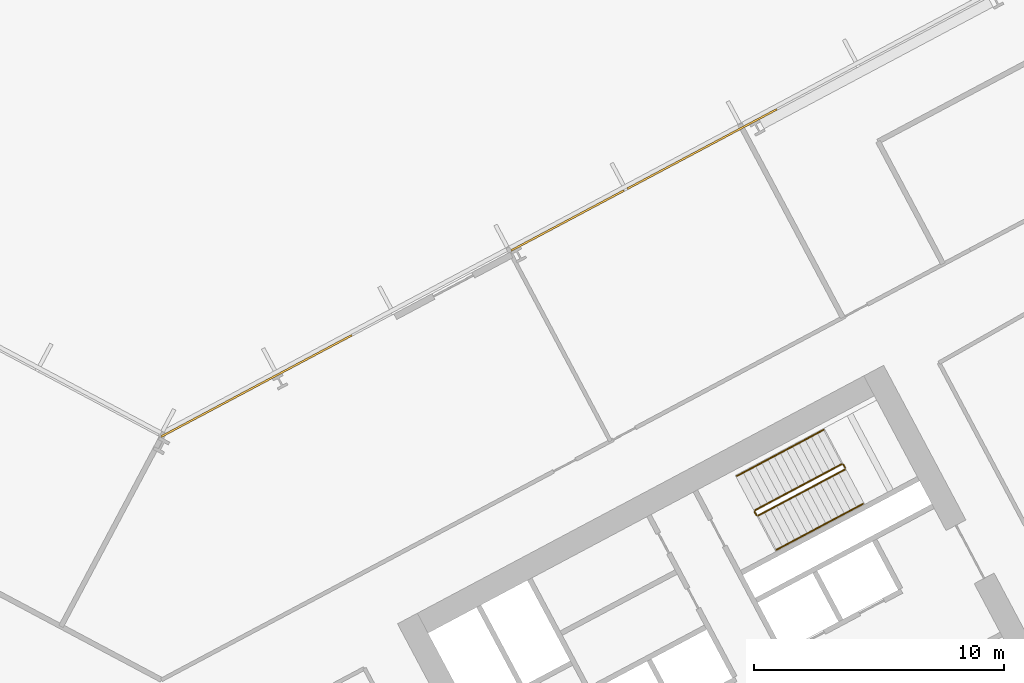
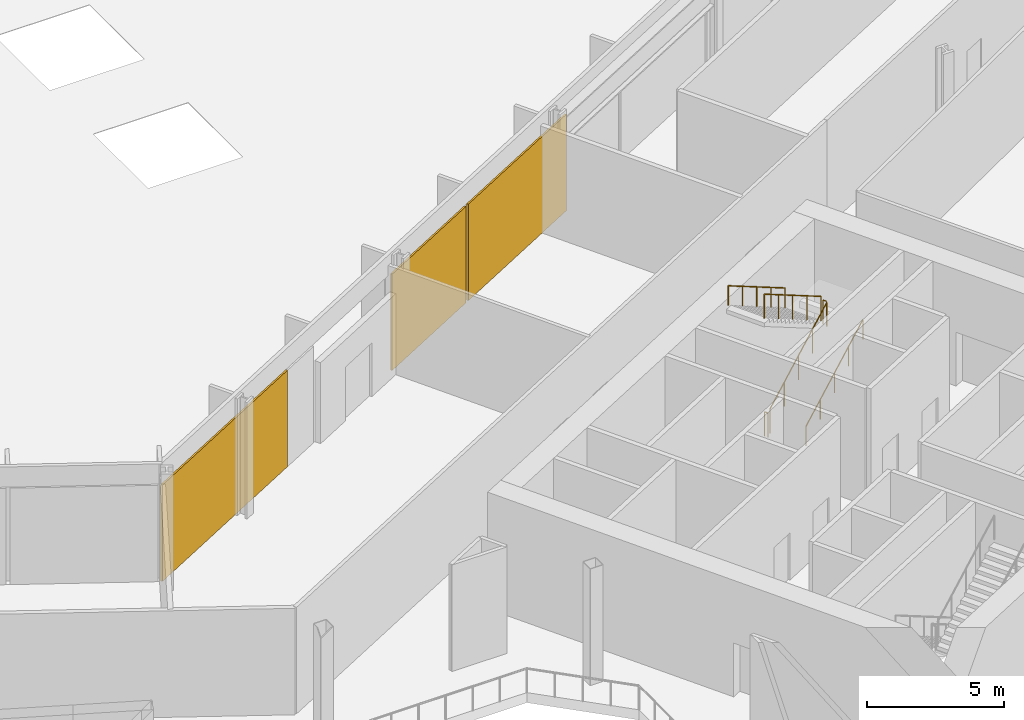
# One storey, part 28 of 30: 6 railings, 3 coverings, 1 element without a shape of its own.
"""IFC4 building model written with IfcOpenShell, lengths in metres."""

import ifcopenshell
import ifcopenshell.guid

model = None  # the IFC model being written
_history = None  # IfcOwnerHistory: only IFC2X3 demands one
_inside = {}  # id of a spatial element -> (the spatial element, [elements in it])
_under = {}  # id of a project, library or spatial element -> (it, [spatial elements below it])
_declared = {}  # id of a project -> (the project, [libraries it declares])
_typed = {}  # id of a type object -> (the type object, [elements of that type])
_made_of = {}  # id of a material, layer set ... -> (it, [elements and type objects made of it])


def new_model(schema):
    """Start an empty IFC model of exactly this schema.

    Asked for "IFC4X3", IfcOpenShell would pick the latest addendum, in which some entities
    have other attributes; the version numbers below select the first issue.
    IFC2X3 requires an IfcOwnerHistory on every rooted entity: one is made here for all.
    """
    global model, _history
    if schema == "IFC4X3":
        model = ifcopenshell.file(schema_version=(4, 3, 0, 0))
    else:
        model = ifcopenshell.file(schema=schema)
    _inside.clear()
    _under.clear()
    _declared.clear()
    _typed.clear()
    _made_of.clear()
    _history = None
    if model.schema == "IFC2X3":
        org = make("IfcOrganization", Name="unknown")
        user = make(
            "IfcPersonAndOrganization",
            ThePerson=make("IfcPerson", FamilyName="unknown"),
            TheOrganization=org,
        )
        app = make(
            "IfcApplication",
            ApplicationDeveloper=org,
            Version="unknown",
            ApplicationFullName="unknown",
            ApplicationIdentifier="unknown",
        )
        _history = make(
            "IfcOwnerHistory",
            OwningUser=user,
            OwningApplication=app,
            ChangeAction="ADDED",
            CreationDate=0,
        )
    return model


def make(cls, **values):
    """One entity of the class cls with the attributes given. An attribute that is None is left unset."""
    return model.create_entity(
        cls, **{name: value for name, value in values.items() if value is not None}
    )


def rooted(cls, **values):
    """An entity with a GlobalId (a new one), such as an element, a storey or a relation."""
    return make(cls, GlobalId=ifcopenshell.guid.new(), OwnerHistory=_history, **values)


def si_unit(unit_type, name, prefix=None):
    """IfcSIUnit, for example si_unit("LENGTHUNIT", "METRE", prefix="MILLI")."""
    return make("IfcSIUnit", UnitType=unit_type, Prefix=prefix, Name=name)


def assignment(units):
    """IfcUnitAssignment: the units of a project."""
    return None if units is None else make("IfcUnitAssignment", Units=units)


def point(xyz):
    """IfcCartesianPoint."""
    return None if xyz is None else make("IfcCartesianPoint", Coordinates=xyz)


def direction(xyz):
    """IfcDirection."""
    return None if xyz is None else make("IfcDirection", DirectionRatios=xyz)


def frame(location, z_axis=None, x_axis=None):
    """IfcAxis2Placement3D, a coordinate frame: its origin and axes. An axis left out is left unset."""
    return make(
        "IfcAxis2Placement3D",
        Location=point(location),
        Axis=direction(z_axis),
        RefDirection=direction(x_axis),
    )


def frame_2d(location, x_axis=None):
    """IfcAxis2Placement2D, a coordinate frame in the plane: its origin and x axis."""
    return make(
        "IfcAxis2Placement2D", Location=point(location), RefDirection=direction(x_axis)
    )


def origin():
    """The frame at (0, 0, 0) with its axes left unset."""
    return frame((0.0, 0.0, 0.0))


def origin_2d():
    """The frame at (0, 0) in the plane with its x axis left unset."""
    return frame_2d((0.0, 0.0))


def place(relative_to, where):
    """IfcLocalPlacement: puts the frame where relative to a parent placement (None: the world)."""
    return make(
        "IfcLocalPlacement", PlacementRelTo=relative_to, RelativePlacement=where
    )


def context(
    kind, dimensions, precision=None, world=None, true_north=None, identifier=None
):
    """IfcGeometricRepresentationContext, for example the 3D "Model" context."""
    return make(
        "IfcGeometricRepresentationContext",
        ContextIdentifier=identifier,
        ContextType=kind,
        CoordinateSpaceDimension=dimensions,
        Precision=precision,
        WorldCoordinateSystem=world,
        TrueNorth=true_north,
    )


def subcontext(parent, identifier, kind, view, scale=None):
    """IfcGeometricRepresentationSubContext, for example "Body" below "Model"."""
    return make(
        "IfcGeometricRepresentationSubContext",
        ContextIdentifier=identifier,
        ContextType=kind,
        ParentContext=parent,
        TargetScale=scale,
        TargetView=view,
    )


def project(units=None, contexts=None):
    """IfcProject with its units and contexts."""
    return rooted(
        "IfcProject",
        Name="project",
        RepresentationContexts=contexts,
        UnitsInContext=assignment(units),
    )


def spatial(cls, under=None, at=None, **own):
    """A site, building, storey or space (cls), placed at a placement, below another one or the project."""
    s = rooted(cls, ObjectPlacement=at, **own)
    if under is not None:
        _under.setdefault(under.id(), (under, []))[1].append(s)
    return s


def polyline(points):
    """IfcPolyline through the points."""
    return make("IfcPolyline", Points=[point(p) for p in points])


def profile(cls, at=None, kind="AREA", **sizes):
    """A parametric profile (cls). Its sizes go by their IFC names, for example OverallWidth=200.0."""
    return make(cls, ProfileType=kind, Position=at, **sizes)


def rectangle(**sizes):
    """IfcRectangleProfileDef."""
    return profile("IfcRectangleProfileDef", **sizes)


def outline(outer, holes=None, kind="AREA"):
    """IfcArbitraryClosedProfileDef: a profile drawn as a closed curve; with holes, ...WithVoids."""
    if holes is None:
        return make("IfcArbitraryClosedProfileDef", ProfileType=kind, OuterCurve=outer)
    return make(
        "IfcArbitraryProfileDefWithVoids",
        ProfileType=kind,
        OuterCurve=outer,
        InnerCurves=holes,
    )


def extrude(swept, where, along, depth):
    """IfcExtrudedAreaSolid: the profile swept, set in the frame where, extruded along a direction by depth."""
    return make(
        "IfcExtrudedAreaSolid",
        SweptArea=swept,
        Position=where,
        ExtrudedDirection=direction(along),
        Depth=depth,
    )


def shape(context_of_items, identifier, shape_type, items):
    """IfcShapeRepresentation: the items that make up one representation, for example the "Body"."""
    return make(
        "IfcShapeRepresentation",
        ContextOfItems=context_of_items,
        RepresentationIdentifier=identifier,
        RepresentationType=shape_type,
        Items=items,
    )


def material(Name=None, Category=None):
    """IfcMaterial."""
    return make("IfcMaterial", Name=Name, Category=Category)


def layer(
    of_material, thickness, ventilated=None, Name=None, Category=None, Priority=None
):
    """IfcMaterialLayer: one layer of a wall or slab, of a material (None: an air gap)."""
    return make(
        "IfcMaterialLayer",
        Material=of_material,
        LayerThickness=thickness,
        IsVentilated=ventilated,
        Name=Name,
        Category=Category,
        Priority=Priority,
    )


def layer_set(layers, Name=None):
    """IfcMaterialLayerSet."""
    return make("IfcMaterialLayerSet", MaterialLayers=layers, LayerSetName=Name)


def made_of(thing, what):
    """Note that an element or type object is made of a material, layer set ...; save() writes the relation."""
    if what is not None:
        _made_of.setdefault(what.id(), (what, []))[1].append(thing)
    return thing


def type_object(cls, material=None, **own):
    """A type object (cls), such as IfcWallType, which elements share."""
    return made_of(rooted(cls, **own), material)


def element(
    cls,
    number,
    at=None,
    inside=None,
    cuts=None,
    type_object=None,
    material=None,
    context=None,
    identifier="Body",
    shape_type=None,
    held_by="IfcProductDefinitionShape",
    body=None,
    shapes=None,
    **own,
):
    """One element of the class cls, such as IfcWall. Its Tag is "e" and its number.

    at: its placement. inside: the storey or other place that contains it. cuts: it is an
    opening in that element (IfcRelVoidsElement). A single representation is given by context,
    identifier, shape_type and body (its items); several are given by shapes. held_by: the class
    of the entity that holds the representations. save() writes the other relations.
    """
    e = rooted(cls, Tag="e%d" % number, ObjectPlacement=at, **own)
    if body is not None:
        shapes = [shape(context, identifier, shape_type, body)]
    if shapes is not None:
        e.Representation = make(held_by, Representations=shapes)
    if inside is not None:
        _inside.setdefault(inside.id(), (inside, []))[1].append(e)
    if cuts is not None:
        rooted(
            "IfcRelVoidsElement", RelatingBuildingElement=cuts, RelatedOpeningElement=e
        )
    if type_object is not None:
        _typed.setdefault(type_object.id(), (type_object, []))[1].append(e)
    return made_of(e, material)


def aggregate(whole, parts):
    """IfcRelAggregates: a whole, such as a stair, and the parts it consists of."""
    return rooted("IfcRelAggregates", RelatingObject=whole, RelatedObjects=parts)


def save(model, path):
    """Write the relations noted so far, then the file.

    IfcRelAggregates (storeys below a building ...), IfcRelContainedInSpatialStructure (elements
    in a storey), IfcRelDefinesByType, IfcRelAssociatesMaterial and IfcRelDeclares: one each for
    every whole, place, type object, material and project.
    """
    for whole, parts in _under.values():
        aggregate(whole, parts)
    for where, things in _inside.values():
        rooted(
            "IfcRelContainedInSpatialStructure",
            RelatedElements=things,
            RelatingStructure=where,
        )
    for kind, things in _typed.values():
        rooted("IfcRelDefinesByType", RelatedObjects=things, RelatingType=kind)
    for what, things in _made_of.values():
        rooted("IfcRelAssociatesMaterial", RelatedObjects=things, RelatingMaterial=what)
    for by, libraries in _declared.values():
        rooted("IfcRelDeclares", RelatingContext=by, RelatedDefinitions=libraries)
    model.write(path)


model = new_model("IFC4")

# Units and contexts
model_context = context("Model", 3, precision=1e-05, world=origin(), true_north=direction((0.0, 1.0)))
body_context = subcontext(model_context, "Body", "Model", "MODEL_VIEW")
ifc_project = project(units=[si_unit("LENGTHUNIT", "METRE"), si_unit("AREAUNIT", "SQUARE_METRE"), si_unit("VOLUMEUNIT", "CUBIC_METRE"), si_unit("PLANEANGLEUNIT", "RADIAN"), si_unit("MASSUNIT", "GRAM", prefix="KILO")], contexts=[model_context])

# Site, building, storey
site_placement = place(None, origin())
site = spatial("IfcSite", under=ifc_project, at=site_placement, CompositionType="ELEMENT")
building_placement = place(site_placement, origin())
building = spatial("IfcBuilding", under=site, at=building_placement, Name="Cormorant Relay Tower", CompositionType="ELEMENT")
storey_placement = place(building_placement, frame((0.0, 0.0, 7.0)))
storey = spatial("IfcBuildingStorey", under=building, at=storey_placement, Name="L01", CompositionType="ELEMENT", Elevation=7.0)

# Curtain wall, coverings
ifc_material_1 = material(Name="Aluminium 6063-T6 anodised bronze", Category="aluminium")
ifc_layer_1 = layer(ifc_material_1, 0.235107421875)
ifc_layer_set_1 = layer_set([ifc_layer_1], Name="CW6 data hall curtain wall with mineral wool panels")
curtain_wall_type = type_object("IfcCurtainWallType", Name="CW6 data hall curtain wall with mineral wool panels", PredefinedType="NOTDEFINED", material=ifc_layer_set_1)
curtain_wall_placement = place(storey_placement, origin())
curtain_wall = element("IfcCurtainWall", 1, at=curtain_wall_placement, inside=storey, type_object=curtain_wall_type, Name="CW6 curtain wall 6", PredefinedType="NOTDEFINED")
ifc_material_2 = material(Name="Mineral wool cored anodised bronze aluminium cassette panel", Category="aluminium")
ifc_layer_2 = layer(ifc_material_2, 0.074951171875)
ifc_layer_set_2 = layer_set([ifc_layer_2], Name="CW6 mineral wool cassette panel 75")
covering_type = type_object("IfcCoveringType", Name="CW6 mineral wool cassette panel 75", PredefinedType="CLADDING", material=ifc_layer_set_2)
covering_1_placement = place(storey_placement, frame((21.604248046875, 35.313720703125, 0.0), z_axis=(0.0, 0.0, 1.0), x_axis=(-0.882947592859, -0.469471562786, 0.0)))
covering_1 = element("IfcCovering", 2, at=covering_1_placement, type_object=covering_type, Name="CW6 panel S06", PredefinedType="CLADDING", context=body_context, shape_type="SweptSolid", body=[
    extrude(rectangle(XDim=6.765380859375, YDim=0.074951171875, at=origin_2d()), origin(), (0.0, 0.0, 1.0), 4.300048828125),
])
covering_2_placement = place(storey_placement, frame((16.230224609375, 32.456298828125, 0.0), z_axis=(0.0, 0.0, 1.0), x_axis=(-0.882947592859, -0.469471562786, 0.0)))
covering_2 = element("IfcCovering", 3, at=covering_2_placement, type_object=covering_type, Name="CW6 panel S07", PredefinedType="CLADDING", context=body_context, shape_type="SweptSolid", body=[
    extrude(rectangle(XDim=5.107666015625, YDim=0.074951171875, at=origin_2d()), origin(), (0.0, 0.0, 1.0), 4.300048828125),
])
covering_3_placement = place(storey_placement, frame((3.796875, 25.84521484375, 0.0), z_axis=(0.0, 0.0, 1.0), x_axis=(-0.882947592859, -0.469471562786, 0.0)))
covering_3 = element("IfcCovering", 4, at=covering_3_placement, type_object=covering_type, Name="CW6 panel S10", PredefinedType="CLADDING", context=body_context, shape_type="SweptSolid", body=[
    extrude(rectangle(XDim=8.640380859375, YDim=0.074951171875, at=origin_2d()), origin(), (0.0, 0.0, 1.0), 4.300048828125),
])
aggregate(curtain_wall, [covering_1, covering_2, covering_3])

# Railings
ifc_material_3 = material(Name="Steel ASTM A572 Grade 50 (Fy 345 MPa)", Category="steel")
railing_type_1 = type_object("IfcRailingType", Name="Stair guard 1100", PredefinedType="GUARDRAIL", material=ifc_material_3)
railing_1_placement = place(storey_placement, frame((23.8408203125, 20.6611328125, 0.17333984375)))
element("IfcRailing", 5, at=railing_1_placement, inside=storey, type_object=railing_type_1, Name="L01 B2 stair guard 1", PredefinedType="GUARDRAIL", context=body_context, shape_type="SweptSolid", body=[
    extrude(outline(polyline([(0.022216796875, 0.00927734375), (0.00927734375, 0.022216796875), (-0.00927734375, 0.022216796875), (-0.022216796875, 0.00927734375), (-0.022216796875, -0.00927734375), (-0.00927734375, -0.022216796875), (0.00927734375, -0.022216796875), (0.022216796875, -0.00927734375), (0.022216796875, 0.00927734375)])), frame((0.0, 0.0, 1.076171875), z_axis=(0.750734087475, 0.399170032545, 0.526366426571), x_axis=(-0.469469396681, 0.882948744594, 0.0)), (0.0, 0.0, 1.0), 4.6103515625),
    extrude(outline(polyline([(0.019287109375, 0.008056640625), (0.008056640625, 0.019287109375), (-0.008056640625, 0.019287109375), (-0.019287109375, 0.008056640625), (-0.019287109375, -0.008056640625), (-0.008056640625, -0.019287109375), (0.008056640625, -0.019287109375), (0.019287109375, -0.008056640625), (0.019287109375, 0.008056640625)])), origin(), (0.0, 0.0, 1.0), 1.052001953125),
    extrude(outline(polyline([(0.019287109375, 0.008056640625), (0.008056640625, 0.019287109375), (-0.008056640625, 0.019287109375), (-0.019287109375, 0.008056640625), (-0.019287109375, -0.008056640625), (-0.008056640625, -0.019287109375), (0.008056640625, -0.019287109375), (0.019287109375, -0.008056640625), (0.019287109375, 0.008056640625)])), frame((0.865234375, 0.4599609375, 0.606689453125)), (0.0, 0.0, 1.0), 1.052001953125),
    extrude(outline(polyline([(0.019287109375, 0.008056640625), (0.008056640625, 0.019287109375), (-0.008056640625, 0.019287109375), (-0.019287109375, 0.008056640625), (-0.019287109375, -0.008056640625), (-0.008056640625, -0.019287109375), (0.008056640625, -0.019287109375), (0.019287109375, -0.008056640625), (0.019287109375, 0.008056640625)])), frame((1.73046875, 0.920166015625, 1.21337890625)), (0.0, 0.0, 1.0), 1.052001953125),
    extrude(outline(polyline([(0.019287109375, 0.008056640625), (0.008056640625, 0.019287109375), (-0.008056640625, 0.019287109375), (-0.019287109375, 0.008056640625), (-0.019287109375, -0.008056640625), (-0.008056640625, -0.019287109375), (0.008056640625, -0.019287109375), (0.019287109375, -0.008056640625), (0.019287109375, 0.008056640625)])), frame((2.595947265625, 1.38037109375, 1.820068359375)), (0.0, 0.0, 1.0), 1.052001953125),
    extrude(outline(polyline([(0.019287109375, 0.008056640625), (0.008056640625, 0.019287109375), (-0.008056640625, 0.019287109375), (-0.019287109375, 0.008056640625), (-0.019287109375, -0.008056640625), (-0.008056640625, -0.019287109375), (0.008056640625, -0.019287109375), (0.019287109375, -0.008056640625), (0.019287109375, 0.008056640625)])), frame((3.461181640625, 1.84033203125, 2.4267578125)), (0.0, 0.0, 1.0), 1.052001953125),
])
railing_2_placement = place(storey_placement, frame((27.32275390625, 22.569091796875, 2.60009765625)))
element("IfcRailing", 6, at=railing_2_placement, inside=storey, type_object=railing_type_1, Name="L01 B2 stair guard 2", PredefinedType="GUARDRAIL", context=body_context, shape_type="SweptSolid", body=[
    extrude(outline(polyline([(0.022216796875, 0.00927734375), (0.00927734375, 0.022216796875), (-0.00927734375, 0.022216796875), (-0.022216796875, 0.00927734375), (-0.022216796875, -0.00927734375), (-0.00927734375, -0.022216796875), (0.00927734375, -0.022216796875), (0.022216796875, -0.00927734375), (0.022216796875, 0.00927734375)])), frame((0.0, 0.0, 1.076171875), z_axis=(-0.470503732759, 0.882398003998, 0.0), x_axis=(-0.882398003998, -0.470503732759, 0.0)), (0.0, 0.0, 1.0), 0.14990234375),
    extrude(outline(polyline([(0.019287109375, 0.008056640625), (0.008056640625, 0.019287109375), (-0.008056640625, 0.019287109375), (-0.019287109375, 0.008056640625), (-0.019287109375, -0.008056640625), (-0.008056640625, -0.019287109375), (0.008056640625, -0.019287109375), (0.019287109375, -0.008056640625), (0.019287109375, 0.008056640625)])), origin(), (0.0, 0.0, 1.0), 1.052001953125),
    extrude(outline(polyline([(0.019287109375, 0.008056640625), (0.008056640625, 0.019287109375), (-0.008056640625, 0.019287109375), (-0.019287109375, 0.008056640625), (-0.019287109375, -0.008056640625), (-0.008056640625, -0.019287109375), (0.008056640625, -0.019287109375), (0.019287109375, -0.008056640625), (0.019287109375, 0.008056640625)])), frame((-0.070556640625, 0.13232421875, 0.0)), (0.0, 0.0, 1.0), 1.052001953125),
])
railing_3_placement = place(storey_placement, frame((27.1845703125, 22.72216796875, 2.7734375)))
element("IfcRailing", 7, at=railing_3_placement, inside=storey, type_object=railing_type_1, Name="L01 B2 stair guard 3", PredefinedType="GUARDRAIL", context=body_context, shape_type="SweptSolid", body=[
    extrude(outline(polyline([(0.022216796875, 0.00927734375), (0.00927734375, 0.022216796875), (-0.00927734375, 0.022216796875), (-0.022216796875, 0.00927734375), (-0.022216796875, -0.00927734375), (-0.00927734375, -0.022216796875), (0.00927734375, -0.022216796875), (0.022216796875, -0.00927734375), (0.022216796875, 0.00927734375)])), frame((0.0, 0.0, 1.076171875), z_axis=(-0.75075501281, -0.399181158677, 0.526328142225), x_axis=(0.469469396681, -0.882948744594, 0.0)), (0.0, 0.0, 1.0), 4.6103515625),
    extrude(outline(polyline([(0.019287109375, 0.008056640625), (0.008056640625, 0.019287109375), (-0.008056640625, 0.019287109375), (-0.019287109375, 0.008056640625), (-0.019287109375, -0.008056640625), (-0.008056640625, -0.019287109375), (0.008056640625, -0.019287109375), (0.019287109375, -0.008056640625), (0.019287109375, 0.008056640625)])), origin(), (0.0, 0.0, 1.0), 1.052001953125),
    extrude(outline(polyline([(0.019287109375, 0.008056640625), (0.008056640625, 0.019287109375), (-0.008056640625, 0.019287109375), (-0.019287109375, 0.008056640625), (-0.019287109375, -0.008056640625), (-0.008056640625, -0.019287109375), (0.008056640625, -0.019287109375), (0.019287109375, -0.008056640625), (0.019287109375, 0.008056640625)])), frame((-0.865234375, -0.4599609375, 0.606689453125)), (0.0, 0.0, 1.0), 1.052001953125),
    extrude(outline(polyline([(0.019287109375, 0.008056640625), (0.008056640625, 0.019287109375), (-0.008056640625, 0.019287109375), (-0.019287109375, 0.008056640625), (-0.019287109375, -0.008056640625), (-0.008056640625, -0.019287109375), (0.008056640625, -0.019287109375), (0.019287109375, -0.008056640625), (0.019287109375, 0.008056640625)])), frame((-1.73046875, -0.920166015625, 1.21337890625)), (0.0, 0.0, 1.0), 1.052001953125),
    extrude(outline(polyline([(0.019287109375, 0.008056640625), (0.008056640625, 0.019287109375), (-0.008056640625, 0.019287109375), (-0.019287109375, 0.008056640625), (-0.019287109375, -0.008056640625), (-0.008056640625, -0.019287109375), (0.008056640625, -0.019287109375), (0.019287109375, -0.008056640625), (0.019287109375, 0.008056640625)])), frame((-2.595947265625, -1.38037109375, 1.81982421875)), (0.0, 0.0, 1.0), 1.052001953125),
    extrude(outline(polyline([(0.019287109375, 0.008056640625), (0.008056640625, 0.019287109375), (-0.008056640625, 0.019287109375), (-0.019287109375, 0.008056640625), (-0.019287109375, -0.008056640625), (-0.008056640625, -0.019287109375), (0.008056640625, -0.019287109375), (0.019287109375, -0.008056640625), (0.019287109375, 0.008056640625)])), frame((-3.461181640625, -1.84033203125, 2.426513671875)), (0.0, 0.0, 1.0), 1.052001953125),
])
railing_4_placement = place(storey_placement, frame((23.773193359375, 20.681640625, 0.0)))
element("IfcRailing", 8, at=railing_4_placement, inside=storey, type_object=railing_type_1, Name="L01 B2 stair guard 4", PredefinedType="GUARDRAIL", context=body_context, shape_type="SweptSolid", body=[
    extrude(outline(polyline([(0.022216796875, 0.00927734375), (0.00927734375, 0.022216796875), (-0.00927734375, 0.022216796875), (-0.022216796875, 0.00927734375), (-0.022216796875, -0.00927734375), (-0.00927734375, -0.022216796875), (0.00927734375, -0.022216796875), (0.022216796875, -0.00927734375), (0.022216796875, 0.00927734375)])), frame((0.0, 0.0, 1.076171875), z_axis=(-0.46856034887, 0.8834314911, 0.0), x_axis=(-0.8834314911, -0.46856034887, 0.0)), (0.0, 0.0, 1.0), 0.150146484375),
    extrude(outline(polyline([(0.019287109375, 0.008056640625), (0.008056640625, 0.019287109375), (-0.008056640625, 0.019287109375), (-0.019287109375, 0.008056640625), (-0.019287109375, -0.008056640625), (-0.008056640625, -0.019287109375), (0.008056640625, -0.019287109375), (0.019287109375, -0.008056640625), (0.019287109375, 0.008056640625)])), origin(), (0.0, 0.0, 1.0), 1.052001953125),
    extrude(outline(polyline([(0.019287109375, 0.008056640625), (0.008056640625, 0.019287109375), (-0.008056640625, 0.019287109375), (-0.019287109375, 0.008056640625), (-0.019287109375, -0.008056640625), (-0.008056640625, -0.019287109375), (0.008056640625, -0.019287109375), (0.019287109375, -0.008056640625), (0.019287109375, 0.008056640625)])), frame((-0.0703125, 0.132568359375, 0.0)), (0.0, 0.0, 1.0), 1.052001953125),
])
ifc_material_4 = material(Name="Steel ASTM A572 Grade 50 (Fy 345 MPa)", Category="steel")
railing_type_2 = type_object("IfcRailingType", Name="Stair handrail 900", PredefinedType="HANDRAIL", material=ifc_material_4)
railing_5_placement = place(storey_placement, frame((24.568603515625, 19.29248046875, 0.17333984375)))
element("IfcRailing", 9, at=railing_5_placement, inside=storey, type_object=railing_type_2, Name="L01 B2 stair handrail 1", PredefinedType="HANDRAIL", context=body_context, shape_type="SweptSolid", body=[
    extrude(outline(polyline([(0.022216796875, 0.00927734375), (0.00927734375, 0.022216796875), (-0.00927734375, 0.022216796875), (-0.022216796875, 0.00927734375), (-0.022216796875, -0.00927734375), (-0.00927734375, -0.022216796875), (0.00927734375, -0.022216796875), (0.022216796875, -0.00927734375), (0.022216796875, 0.00927734375)])), frame((0.0, 0.0, 0.8759765625), z_axis=(0.750734087475, 0.399170032545, 0.526366426571), x_axis=(-0.469469396681, 0.882948744594, 0.0)), (0.0, 0.0, 1.0), 4.6103515625),
    extrude(outline(polyline([(0.019287109375, 0.008056640625), (0.008056640625, 0.019287109375), (-0.008056640625, 0.019287109375), (-0.019287109375, 0.008056640625), (-0.019287109375, -0.008056640625), (-0.008056640625, -0.019287109375), (0.008056640625, -0.019287109375), (0.019287109375, -0.008056640625), (0.019287109375, 0.008056640625)])), origin(), (0.0, 0.0, 1.0), 0.851806640625),
    extrude(outline(polyline([(0.019287109375, 0.008056640625), (0.008056640625, 0.019287109375), (-0.008056640625, 0.019287109375), (-0.019287109375, 0.008056640625), (-0.019287109375, -0.008056640625), (-0.008056640625, -0.019287109375), (0.008056640625, -0.019287109375), (0.019287109375, -0.008056640625), (0.019287109375, 0.008056640625)])), frame((0.865234375, 0.4599609375, 0.606689453125)), (0.0, 0.0, 1.0), 0.851806640625),
    extrude(outline(polyline([(0.019287109375, 0.008056640625), (0.008056640625, 0.019287109375), (-0.008056640625, 0.019287109375), (-0.019287109375, 0.008056640625), (-0.019287109375, -0.008056640625), (-0.008056640625, -0.019287109375), (0.008056640625, -0.019287109375), (0.019287109375, -0.008056640625), (0.019287109375, 0.008056640625)])), frame((1.73046875, 0.920166015625, 1.21337890625)), (0.0, 0.0, 1.0), 0.851806640625),
    extrude(outline(polyline([(0.019287109375, 0.008056640625), (0.008056640625, 0.019287109375), (-0.008056640625, 0.019287109375), (-0.019287109375, 0.008056640625), (-0.019287109375, -0.008056640625), (-0.008056640625, -0.019287109375), (0.008056640625, -0.019287109375), (0.019287109375, -0.008056640625), (0.019287109375, 0.008056640625)])), frame((2.595947265625, 1.38037109375, 1.820068359375)), (0.0, 0.0, 1.0), 0.851806640625),
    extrude(outline(polyline([(0.019287109375, 0.008056640625), (0.008056640625, 0.019287109375), (-0.008056640625, 0.019287109375), (-0.019287109375, 0.008056640625), (-0.019287109375, -0.008056640625), (-0.008056640625, -0.019287109375), (0.008056640625, -0.019287109375), (0.019287109375, -0.008056640625), (0.019287109375, 0.008056640625)])), frame((3.461181640625, 1.84033203125, 2.4267578125)), (0.0, 0.0, 1.0), 0.851806640625),
])
railing_6_placement = place(storey_placement, frame((26.45703125, 24.090576171875, 2.7734375)))
element("IfcRailing", 10, at=railing_6_placement, inside=storey, type_object=railing_type_2, Name="L01 B2 stair handrail 2", PredefinedType="HANDRAIL", context=body_context, shape_type="SweptSolid", body=[
    extrude(outline(polyline([(0.022216796875, 0.00927734375), (0.00927734375, 0.022216796875), (-0.00927734375, 0.022216796875), (-0.022216796875, 0.00927734375), (-0.022216796875, -0.00927734375), (-0.00927734375, -0.022216796875), (0.00927734375, -0.022216796875), (0.022216796875, -0.00927734375), (0.022216796875, 0.00927734375)])), frame((0.0, 0.0, 0.8759765625), z_axis=(-0.75075501281, -0.399181158677, 0.526328142225), x_axis=(0.469469396681, -0.882948744594, 0.0)), (0.0, 0.0, 1.0), 4.6103515625),
    extrude(outline(polyline([(0.019287109375, 0.008056640625), (0.008056640625, 0.019287109375), (-0.008056640625, 0.019287109375), (-0.019287109375, 0.008056640625), (-0.019287109375, -0.008056640625), (-0.008056640625, -0.019287109375), (0.008056640625, -0.019287109375), (0.019287109375, -0.008056640625), (0.019287109375, 0.008056640625)])), origin(), (0.0, 0.0, 1.0), 0.851806640625),
    extrude(outline(polyline([(0.019287109375, 0.008056640625), (0.008056640625, 0.019287109375), (-0.008056640625, 0.019287109375), (-0.019287109375, 0.008056640625), (-0.019287109375, -0.008056640625), (-0.008056640625, -0.019287109375), (0.008056640625, -0.019287109375), (0.019287109375, -0.008056640625), (0.019287109375, 0.008056640625)])), frame((-0.865234375, -0.4599609375, 0.606689453125)), (0.0, 0.0, 1.0), 0.851806640625),
    extrude(outline(polyline([(0.019287109375, 0.008056640625), (0.008056640625, 0.019287109375), (-0.008056640625, 0.019287109375), (-0.019287109375, 0.008056640625), (-0.019287109375, -0.008056640625), (-0.008056640625, -0.019287109375), (0.008056640625, -0.019287109375), (0.019287109375, -0.008056640625), (0.019287109375, 0.008056640625)])), frame((-1.73046875, -0.920166015625, 1.21337890625)), (0.0, 0.0, 1.0), 0.851806640625),
    extrude(outline(polyline([(0.019287109375, 0.008056640625), (0.008056640625, 0.019287109375), (-0.008056640625, 0.019287109375), (-0.019287109375, 0.008056640625), (-0.019287109375, -0.008056640625), (-0.008056640625, -0.019287109375), (0.008056640625, -0.019287109375), (0.019287109375, -0.008056640625), (0.019287109375, 0.008056640625)])), frame((-2.595947265625, -1.38037109375, 1.81982421875)), (0.0, 0.0, 1.0), 0.851806640625),
    extrude(outline(polyline([(0.019287109375, 0.008056640625), (0.008056640625, 0.019287109375), (-0.008056640625, 0.019287109375), (-0.019287109375, 0.008056640625), (-0.019287109375, -0.008056640625), (-0.008056640625, -0.019287109375), (0.008056640625, -0.019287109375), (0.019287109375, -0.008056640625), (0.019287109375, 0.008056640625)])), frame((-3.461181640625, -1.84033203125, 2.426513671875)), (0.0, 0.0, 1.0), 0.851806640625),
])

save(model, "model.ifc")
